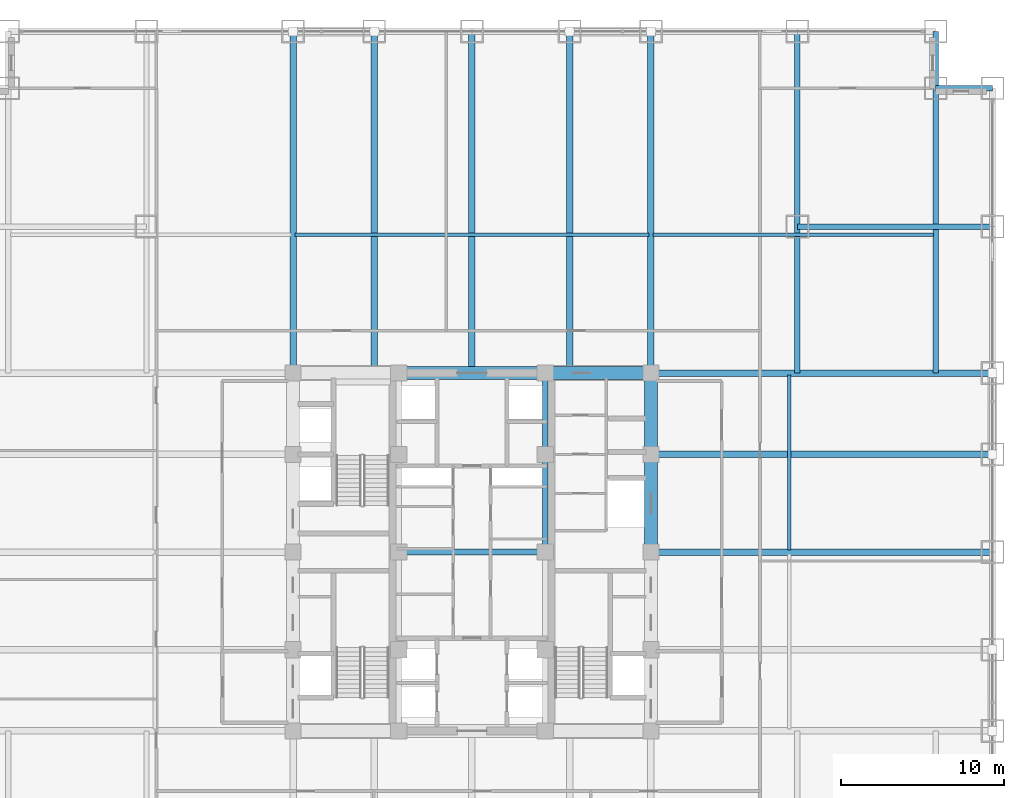
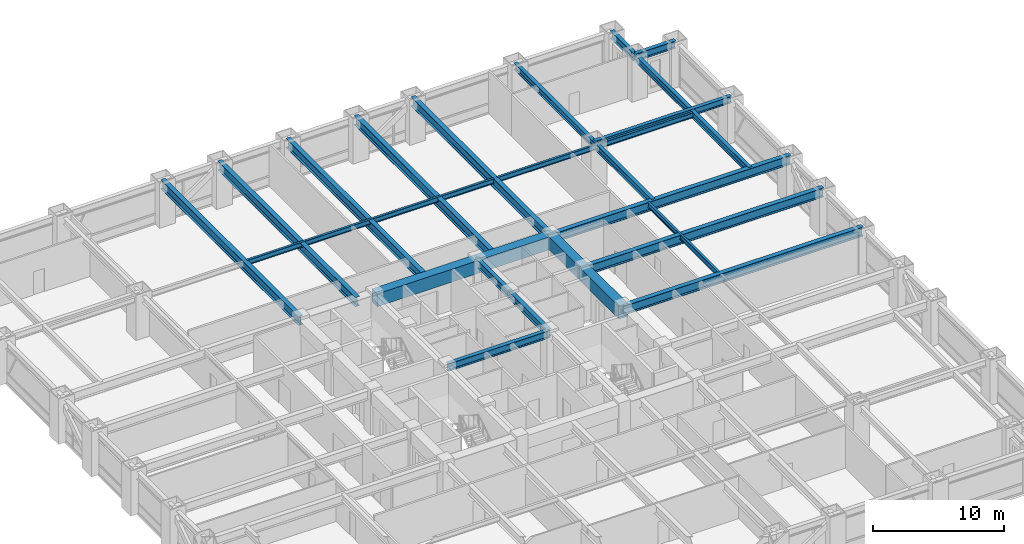
# One storey, part 15 of 28: 23 beams.
"""IFC4 building model written with IfcOpenShell, lengths in metres."""

from ifc_helpers import new_model, si_unit, direction, frame, origin, origin_2d, place, context, subcontext, project, spatial, rectangle, i_section, extrude, source, transform, mapped, material, material_profile, profile_set, type_object, element, save


model = new_model("IFC4")

# Units and contexts
model_context = context("Model", 3, precision=1e-05, world=origin(), true_north=direction((0.0, 1.0)))
body_context = subcontext(model_context, "Body", "Model", "MODEL_VIEW")
ifc_project = project(units=[si_unit("LENGTHUNIT", "METRE"), si_unit("AREAUNIT", "SQUARE_METRE"), si_unit("VOLUMEUNIT", "CUBIC_METRE"), si_unit("PLANEANGLEUNIT", "RADIAN"), si_unit("MASSUNIT", "GRAM", prefix="KILO")], contexts=[model_context])

# Site, building, storey
site_placement = place(None, origin())
site = spatial("IfcSite", under=ifc_project, at=site_placement, CompositionType="ELEMENT")
building_placement = place(site_placement, origin())
building = spatial("IfcBuilding", under=site, at=building_placement, Name="Khorayat Bourse Tower", CompositionType="ELEMENT")
storey_placement = place(building_placement, frame((0.0, 0.0, 62.0)))
storey = spatial("IfcBuildingStorey", under=building, at=storey_placement, Name="L13", CompositionType="ELEMENT", Elevation=62.0)

# Beams
ifc_material_1 = material(Name="Concrete C72/90", Category="concrete")
ifc_material_profile_1 = material_profile(ifc_material_1, rectangle(XDim=0.800048828125, YDim=1.199951171875, at=origin_2d()), Name="RC 800x1200")
ifc_profile_set_1 = profile_set([ifc_material_profile_1], Name="Concrete C72/90")
beam_type_1 = type_object("IfcBeamType", Name="BM-COUP-1200", PredefinedType="BEAM", material=ifc_profile_set_1)
shared_shape_1 = source(origin(), body_context, "Body", "SweptSolid", [
    extrude(rectangle(XDim=0.800048828125, YDim=1.199951171875, at=origin_2d()), origin(), (0.0, 0.0, 1.0), 5.0),
])
beam_1_placement = place(storey_placement, frame((11.0, 6.0, 3.340087890625), z_axis=(0.0, 1.0, 0.0), x_axis=(-1.0, 0.0, 0.0)))
element("IfcBeam", 1, at=beam_1_placement, inside=storey, type_object=beam_type_1, Name="L13 BM-COUP-1200 BM-L13-CRX-16", PredefinedType="BEAM", context=body_context, shape_type="MappedRepresentation", body=[
    mapped(shared_shape_1, transform((0.0, 0.0, 0.0), scale=1.0)),
])
shared_shape_2 = source(origin(), body_context, "Body", "SweptSolid", [
    extrude(rectangle(XDim=0.800048828125, YDim=1.199951171875, at=origin_2d()), origin(), (0.0, 0.0, 1.0), 6.0),
])
beam_2_placement = place(storey_placement, frame((11.0, 0.0, 3.340087890625), z_axis=(0.0, 1.0, 0.0), x_axis=(-1.0, 0.0, 0.0)))
element("IfcBeam", 2, at=beam_2_placement, inside=storey, type_object=beam_type_1, Name="L13 BM-COUP-1200 BM-L13-CRX-15", PredefinedType="BEAM", context=body_context, shape_type="MappedRepresentation", body=[
    mapped(shared_shape_2, transform((0.0, 0.0, 0.0), scale=1.0)),
])
ifc_material_2 = material(Name="Steel ASTM A992 Grade 50", Category="steel")
ifc_material_profile_2 = material_profile(ifc_material_2, i_section(OverallWidth=0.35498046875, OverallDepth=0.695068359375, WebThickness=0.015380859375, FlangeThickness=0.02490234375, FilletRadius=0.01806640625, at=origin_2d()), Name="W690X217")
ifc_profile_set_2 = profile_set([ifc_material_profile_2], Name="Steel ASTM A992 Grade 50")
beam_type_2 = type_object("IfcBeamType", Name="BM-GIRD-690", PredefinedType="BEAM", material=ifc_profile_set_2)
shared_shape_3 = source(origin(), body_context, "Body", "SweptSolid", [
    extrude(i_section(OverallWidth=0.35498046875, OverallDepth=0.695068359375, WebThickness=0.015380859375, FlangeThickness=0.02490234375, FilletRadius=0.01806640625, at=origin_2d()), origin(), (0.0, 0.0, 1.0), 5.0),
])
beam_3_placement = place(storey_placement, frame((4.5, 6.0, 3.592529296875), z_axis=(0.0, 1.0, 0.0), x_axis=(-1.0, 0.0, 0.0)))
element("IfcBeam", 3, at=beam_3_placement, inside=storey, type_object=beam_type_2, Name="L13 BM-GIRD-690 BM-L13-CRX-12", PredefinedType="BEAM", context=body_context, shape_type="MappedRepresentation", body=[
    mapped(shared_shape_3, transform((0.0, 0.0, 0.0), scale=1.0)),
])
shared_shape_4 = source(origin(), body_context, "Body", "SweptSolid", [
    extrude(i_section(OverallWidth=0.35498046875, OverallDepth=0.695068359375, WebThickness=0.015380859375, FlangeThickness=0.02490234375, FilletRadius=0.01806640625, at=origin_2d()), origin(), (0.0, 0.0, 1.0), 6.0),
])
beam_4_placement = place(storey_placement, frame((4.5, 0.0, 3.592529296875), z_axis=(0.0, 1.0, 0.0), x_axis=(-1.0, 0.0, 0.0)))
element("IfcBeam", 4, at=beam_4_placement, inside=storey, type_object=beam_type_2, Name="L13 BM-GIRD-690 BM-L13-CRX-11", PredefinedType="BEAM", context=body_context, shape_type="MappedRepresentation", body=[
    mapped(shared_shape_4, transform((0.0, 0.0, 0.0), scale=1.0)),
])
shared_shape_5 = source(origin(), body_context, "Body", "SweptSolid", [
    extrude(rectangle(XDim=0.800048828125, YDim=1.199951171875, at=origin_2d()), origin(), (0.0, 0.0, 1.0), 6.5),
])
beam_5_placement = place(storey_placement, frame((4.5, 11.0, 3.340087890625), z_axis=(1.0, 0.0, 0.0), x_axis=(0.0, 1.0, 0.0)))
element("IfcBeam", 5, at=beam_5_placement, inside=storey, type_object=beam_type_1, Name="L13 BM-COUP-1200 BM-L13-CRY-22", PredefinedType="BEAM", context=body_context, shape_type="MappedRepresentation", body=[
    mapped(shared_shape_5, transform((0.0, 0.0, 0.0), scale=1.0)),
])
shared_shape_6 = source(origin(), body_context, "Body", "SweptSolid", [
    extrude(rectangle(XDim=0.800048828125, YDim=1.199951171875, at=origin_2d()), origin(), (0.0, 0.0, 1.0), 9.0),
])
beam_6_placement = place(storey_placement, frame((-4.5, 11.0, 3.340087890625), z_axis=(1.0, 0.0, 0.0), x_axis=(0.0, 1.0, 0.0)))
element("IfcBeam", 6, at=beam_6_placement, inside=storey, type_object=beam_type_1, Name="L13 BM-COUP-1200 BM-L13-CRY-21", PredefinedType="BEAM", context=body_context, shape_type="MappedRepresentation", body=[
    mapped(shared_shape_6, transform((0.0, 0.0, 0.0), scale=1.0)),
])
shared_shape_7 = source(origin(), body_context, "Body", "SweptSolid", [
    extrude(i_section(OverallWidth=0.35498046875, OverallDepth=0.695068359375, WebThickness=0.015380859375, FlangeThickness=0.02490234375, FilletRadius=0.01806640625, at=origin_2d()), origin(), (0.0, 0.0, 1.0), 9.0),
])
beam_7_placement = place(storey_placement, frame((-4.5, 0.0, 3.592529296875), z_axis=(1.0, 0.0, 0.0), x_axis=(0.0, 1.0, 0.0)))
element("IfcBeam", 7, at=beam_7_placement, inside=storey, type_object=beam_type_2, Name="L13 BM-GIRD-690 BM-L13-CRY-23", PredefinedType="BEAM", context=body_context, shape_type="MappedRepresentation", body=[
    mapped(shared_shape_7, transform((0.0, 0.0, 0.0), scale=1.0)),
])
ifc_material_profile_3 = material_profile(ifc_material_2, i_section(OverallWidth=0.35498046875, OverallDepth=0.695068359375, WebThickness=0.015380859375, FlangeThickness=0.02490234375, FilletRadius=0.01806640625, at=origin_2d()), Name="W690X217")
ifc_profile_set_3 = profile_set([ifc_material_profile_3], Name="Steel ASTM A992 Grade 50")
beam_type_3 = type_object("IfcBeamType", Name="BM-SPAN-690", PredefinedType="SPANDREL", material=ifc_profile_set_3)
shared_shape_8 = source(origin(), body_context, "Body", "SweptSolid", [
    extrude(i_section(OverallWidth=0.35498046875, OverallDepth=0.695068359375, WebThickness=0.015380859375, FlangeThickness=0.02490234375, FilletRadius=0.01806640625, at=origin_2d()), origin(), (0.0, 0.0, 1.0), 3.5),
])
for number, where, z_axis, x_axis, name in (
    (8, (28.5, 28.5, 3.592529296875), (1.0, 0.0, 0.0), (0.0, 1.0, 0.0), "L13 BM-SPAN-690 BM-L13-SPN-042"),
    (9, (28.5, 28.5, 3.592529296875), (0.0, 1.0, 0.0), (-1.0, 0.0, 0.0), "L13 BM-SPAN-690 BM-L13-SPN-043"),
):
    element("IfcBeam", number, at=place(storey_placement, frame(where, z_axis=z_axis, x_axis=x_axis)), inside=storey, type_object=beam_type_3, Name=name, PredefinedType="SPANDREL", context=body_context, shape_type="MappedRepresentation", body=[
        mapped(shared_shape_8, transform((0.0, 0.0, 0.0), scale=1.0)),
    ])
ifc_material_profile_4 = material_profile(ifc_material_2, i_section(OverallWidth=0.39990234375, OverallDepth=0.85498046875, WebThickness=0.018310546875, FlangeThickness=0.029296875, FilletRadius=0.02001953125, at=origin_2d()), Name="W840X299")
ifc_profile_set_4 = profile_set([ifc_material_profile_4], Name="Steel ASTM A992 Grade 50")
beam_type_4 = type_object("IfcBeamType", Name="BM-GIRD-840", PredefinedType="BEAM", material=ifc_profile_set_4)
shared_shape_9 = source(origin(), body_context, "Body", "SweptSolid", [
    extrude(i_section(OverallWidth=0.39990234375, OverallDepth=0.85498046875, WebThickness=0.018310546875, FlangeThickness=0.029296875, FilletRadius=0.02001953125, at=origin_2d()), origin(), (0.0, 0.0, 1.0), 21.0),
])
for number, where, z_axis, x_axis, name in (
    (10, (-11.0, 11.0, 3.512451171875), (0.0, 1.0, 0.0), (-1.0, 0.0, 0.0), "L13 BM-GIRD-840 BM-L13-RADY-064"),
    (11, (-6.0, 11.0, 3.512451171875), (0.0, 1.0, 0.0), (-1.0, 0.0, 0.0), "L13 BM-GIRD-840 BM-L13-RADY-066"),
    (12, (0.0, 11.0, 3.512451171875), (0.0, 1.0, 0.0), (-1.0, 0.0, 0.0), "L13 BM-GIRD-840 BM-L13-RADY-068"),
    (13, (6.0, 11.0, 3.512451171875), (0.0, 1.0, 0.0), (-1.0, 0.0, 0.0), "L13 BM-GIRD-840 BM-L13-RADY-070"),
    (14, (11.0, 11.0, 3.512451171875), (0.0, 1.0, 0.0), (-1.0, 0.0, 0.0), "L13 BM-GIRD-840 BM-L13-RADY-072"),
    (15, (11.0, 0.0, 3.512451171875), (1.0, 0.0, 0.0), (0.0, 1.0, 0.0), "L13 BM-GIRD-840 BM-L13-RADX-078"),
    (16, (11.0, 6.0, 3.512451171875), (1.0, 0.0, 0.0), (0.0, 1.0, 0.0), "L13 BM-GIRD-840 BM-L13-RADX-080"),
    (17, (11.0, 11.0, 3.512451171875), (1.0, 0.0, 0.0), (0.0, 1.0, 0.0), "L13 BM-GIRD-840 BM-L13-RADX-082"),
):
    element("IfcBeam", number, at=place(storey_placement, frame(where, z_axis=z_axis, x_axis=x_axis)), inside=storey, type_object=beam_type_4, Name=name, PredefinedType="BEAM", context=body_context, shape_type="MappedRepresentation", body=[
        mapped(shared_shape_9, transform((0.0, 0.0, 0.0), scale=1.0)),
    ])
ifc_material_profile_5 = material_profile(ifc_material_2, i_section(OverallWidth=0.324951171875, OverallDepth=0.615966796875, WebThickness=0.013916015625, FlangeThickness=0.021484375, FilletRadius=0.01611328125, at=origin_2d()), Name="W610X174")
ifc_profile_set_5 = profile_set([ifc_material_profile_5], Name="Steel ASTM A992 Grade 50")
beam_type_5 = type_object("IfcBeamType", Name="BM-GIRD-610", PredefinedType="BEAM", material=ifc_profile_set_5)
shared_shape_10 = source(origin(), body_context, "Body", "SweptSolid", [
    extrude(i_section(OverallWidth=0.324951171875, OverallDepth=0.615966796875, WebThickness=0.013916015625, FlangeThickness=0.021484375, FilletRadius=0.01611328125, at=origin_2d()), origin(), (0.0, 0.0, 1.0), 21.0),
])
beam_8_placement = place(storey_placement, frame((20.0, 11.0, 3.632080078125), z_axis=(0.0, 1.0, 0.0), x_axis=(-1.0, 0.0, 0.0)))
element("IfcBeam", 18, at=beam_8_placement, inside=storey, type_object=beam_type_5, Name="L13 BM-GIRD-610 BM-L13-CNRY-087", PredefinedType="BEAM", context=body_context, shape_type="MappedRepresentation", body=[
    mapped(shared_shape_10, transform((0.0, 0.0, 0.0), scale=1.0)),
])
shared_shape_11 = source(origin(), body_context, "Body", "SweptSolid", [
    extrude(i_section(OverallWidth=0.324951171875, OverallDepth=0.615966796875, WebThickness=0.013916015625, FlangeThickness=0.021484375, FilletRadius=0.01611328125, at=origin_2d()), origin(), (0.0, 0.0, 1.0), 17.5),
])
beam_9_placement = place(storey_placement, frame((28.5, 11.0, 3.632080078125), z_axis=(0.0, 1.0, 0.0), x_axis=(-1.0, 0.0, 0.0)))
element("IfcBeam", 19, at=beam_9_placement, inside=storey, type_object=beam_type_5, Name="L13 BM-GIRD-610 BM-L13-CNRY-091", PredefinedType="BEAM", context=body_context, shape_type="MappedRepresentation", body=[
    mapped(shared_shape_11, transform((0.0, 0.0, 0.0), scale=1.0)),
])
shared_shape_12 = source(origin(), body_context, "Body", "SweptSolid", [
    extrude(i_section(OverallWidth=0.324951171875, OverallDepth=0.615966796875, WebThickness=0.013916015625, FlangeThickness=0.021484375, FilletRadius=0.01611328125, at=origin_2d()), origin(), (0.0, 0.0, 1.0), 12.0),
])
beam_10_placement = place(storey_placement, frame((20.0, 20.0, 3.632080078125), z_axis=(1.0, 0.0, 0.0), x_axis=(0.0, 1.0, 0.0)))
element("IfcBeam", 20, at=beam_10_placement, inside=storey, type_object=beam_type_5, Name="L13 BM-GIRD-610 BM-L13-CNRX-094", PredefinedType="BEAM", context=body_context, shape_type="MappedRepresentation", body=[
    mapped(shared_shape_12, transform((0.0, 0.0, 0.0), scale=1.0)),
])
ifc_material_profile_6 = material_profile(ifc_material_2, i_section(OverallWidth=0.194091796875, OverallDepth=0.468994140625, WebThickness=0.0126953125, FlangeThickness=0.0205078125, FilletRadius=0.012939453125, at=origin_2d()), Name="W460X106")
ifc_profile_set_6 = profile_set([ifc_material_profile_6], Name="Steel ASTM A992 Grade 50")
beam_type_6 = type_object("IfcBeamType", Name="BM-JOIST-460", PredefinedType="JOIST", material=ifc_profile_set_6)
shared_shape_13 = source(origin(), body_context, "Body", "SweptSolid", [
    extrude(i_section(OverallWidth=0.194091796875, OverallDepth=0.468994140625, WebThickness=0.0126953125, FlangeThickness=0.0205078125, FilletRadius=0.012939453125, at=origin_2d()), origin(), (0.0, 0.0, 1.0), 17.240234375),
])
beam_11_placement = place(storey_placement, frame((11.1298828125, 19.5, 3.70556640625), z_axis=(1.0, 0.0, 0.0), x_axis=(0.0, 1.0, 0.0)))
element("IfcBeam", 21, at=beam_11_placement, inside=storey, type_object=beam_type_6, Name="L13 BM-JOIST-460 BM-L13-JSTX-101", PredefinedType="JOIST", context=body_context, shape_type="MappedRepresentation", body=[
    mapped(shared_shape_13, transform((0.0, 0.0, 0.0), scale=1.0)),
])
shared_shape_14 = source(origin(), body_context, "Body", "SweptSolid", [
    extrude(i_section(OverallWidth=0.194091796875, OverallDepth=0.468994140625, WebThickness=0.0126953125, FlangeThickness=0.0205078125, FilletRadius=0.012939453125, at=origin_2d()), origin(), (0.0, 0.0, 1.0), 21.740234375),
])
beam_12_placement = place(storey_placement, frame((-10.8701171875, 19.5, 3.70556640625), z_axis=(1.0, 0.0, 0.0), x_axis=(0.0, 1.0, 0.0)))
element("IfcBeam", 22, at=beam_12_placement, inside=storey, type_object=beam_type_6, Name="L13 BM-JOIST-460 BM-L13-JSTX-100", PredefinedType="JOIST", context=body_context, shape_type="MappedRepresentation", body=[
    mapped(shared_shape_14, transform((0.0, 0.0, 0.0), scale=1.0)),
])
shared_shape_15 = source(origin(), body_context, "Body", "SweptSolid", [
    extrude(i_section(OverallWidth=0.194091796875, OverallDepth=0.468994140625, WebThickness=0.0126953125, FlangeThickness=0.0205078125, FilletRadius=0.012939453125, at=origin_2d()), origin(), (0.0, 0.0, 1.0), 10.740234375),
])
beam_13_placement = place(storey_placement, frame((19.5, 0.1298828125, 3.70556640625), z_axis=(0.0, 1.0, 0.0), x_axis=(-1.0, 0.0, 0.0)))
element("IfcBeam", 23, at=beam_13_placement, inside=storey, type_object=beam_type_6, Name="L13 BM-JOIST-460 BM-L13-JSTY-105", PredefinedType="JOIST", context=body_context, shape_type="MappedRepresentation", body=[
    mapped(shared_shape_15, transform((0.0, 0.0, 0.0), scale=1.0)),
])

save(model, "model.ifc")
